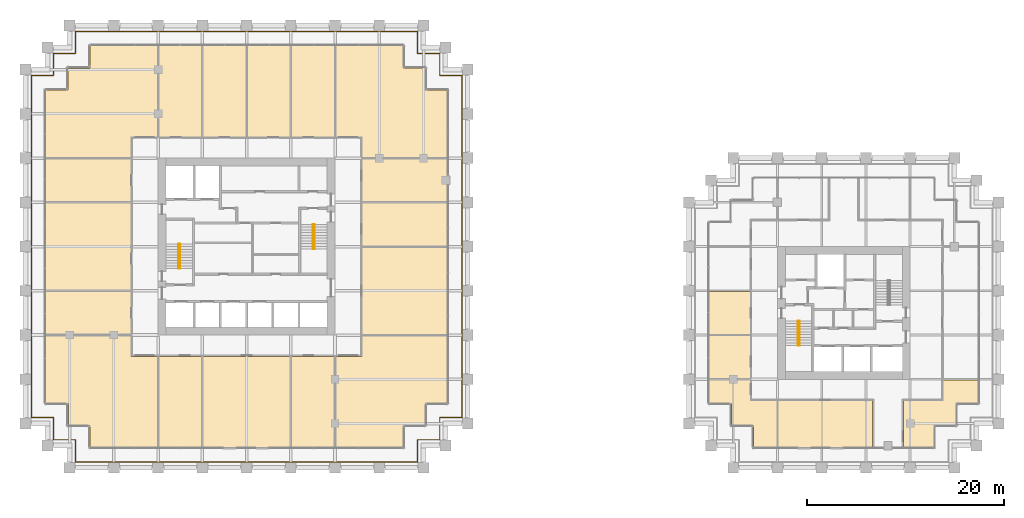
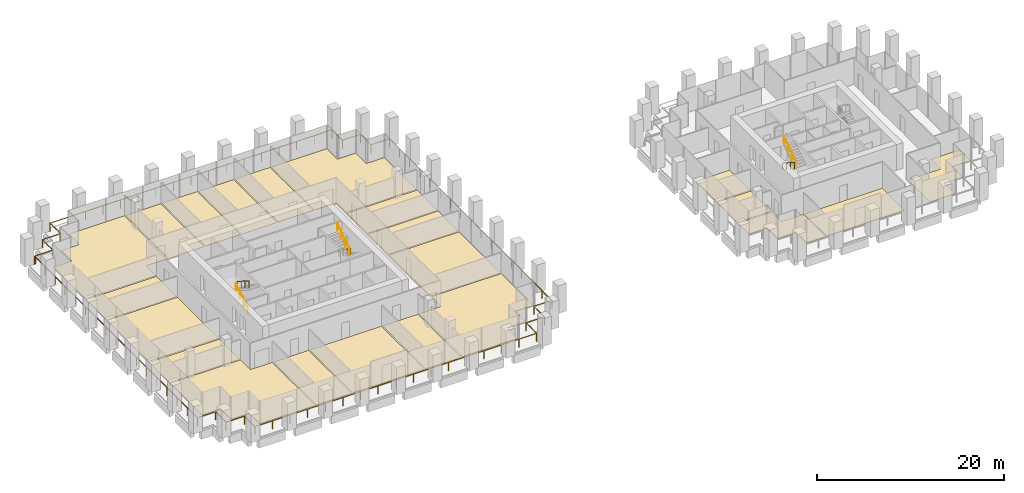
# One storey, part 54 of 55: 22 coverings, 7 railings.
"""IFC4 building model written with IfcOpenShell, lengths in metres."""

from ifc_helpers import new_model, si_unit, direction, frame, origin, origin_2d, place, context, subcontext, project, spatial, polyline, circle, outline, extrude, source, transform, mapped, material, layer, layer_set, type_object, element, save


model = new_model("IFC4")

# Units and contexts
model_context = context("Model", 3, precision=1e-05, world=origin(), true_north=direction((0.0, 1.0)))
body_context = subcontext(model_context, "Body", "Model", "MODEL_VIEW")
ifc_project = project(units=[si_unit("LENGTHUNIT", "METRE"), si_unit("AREAUNIT", "SQUARE_METRE"), si_unit("VOLUMEUNIT", "CUBIC_METRE"), si_unit("PLANEANGLEUNIT", "RADIAN"), si_unit("MASSUNIT", "GRAM", prefix="KILO")], contexts=[model_context])

# Site, building, storey
site_placement = place(None, origin())
site = spatial("IfcSite", under=ifc_project, at=site_placement, CompositionType="ELEMENT")
building_placement = place(site_placement, origin())
building = spatial("IfcBuilding", under=site, at=building_placement, Name="Altepetl Exchange Towers", CompositionType="ELEMENT")
storey_placement = place(building_placement, frame((0.0, 0.0, 47.39990234375)))
storey = spatial("IfcBuildingStorey", under=building, at=storey_placement, Name="L10", CompositionType="ELEMENT", Elevation=47.39990234375)

# Coverings
ifc_material_1 = material(Name="Carpet tile")
ifc_layer_1 = layer(ifc_material_1, 0.02001953125)
ifc_layer_set_1 = layer_set([ifc_layer_1], Name="Carpet tile")
covering_type_1 = type_object("IfcCoveringType", Name="Carpet tile floor", PredefinedType="FLOORING", material=ifc_layer_set_1)
covering_1_placement = place(storey_placement, origin())
element("IfcCovering", 1, at=covering_1_placement, inside=storey, type_object=covering_type_1, Name="Print room floor finish A10.01", PredefinedType="FLOORING", context=body_context, shape_type="SweptSolid", body=[
    extrude(outline(polyline([(37.737548828125, 44.9375), (29.0625, 44.9375), (29.0625, 40.5625), (37.737548828125, 40.5625), (37.737548828125, 44.9375)])), origin(), (0.0, 0.0, 1.0), 0.02001953125),
])
covering_2_placement = place(storey_placement, origin())
element("IfcCovering", 2, at=covering_2_placement, inside=storey, type_object=covering_type_1, Name="Open office floor finish A10.05", PredefinedType="FLOORING", context=body_context, shape_type="SweptSolid", body=[
    extrude(outline(polyline([(58.4375, 29.0625), (58.4375, 38.33740234375), (54.0625, 38.33740234375), (54.0625, 29.0625), (58.4375, 29.0625)])), origin(), (0.0, 0.0, 1.0), 0.02001953125),
])
covering_3_placement = place(storey_placement, origin())
element("IfcCovering", 3, at=covering_3_placement, inside=storey, type_object=covering_type_1, Name="Open office floor finish A10.07", PredefinedType="FLOORING", context=body_context, shape_type="SweptSolid", body=[
    extrude(outline(polyline([(69.9375, 49.4375), (61.262451171875, 49.4375), (61.262451171875, 40.5625), (69.9375, 40.5625), (69.9375, 49.4375)])), origin(), (0.0, 0.0, 1.0), 0.02001953125),
])
covering_4_placement = place(storey_placement, origin())
element("IfcCovering", 4, at=covering_4_placement, inside=storey, type_object=covering_type_1, Name="Print room floor finish A10.08", PredefinedType="FLOORING", context=body_context, shape_type="SweptSolid", body=[
    extrude(outline(polyline([(69.9375, 53.9375), (61.262451171875, 53.9375), (61.262451171875, 49.5625), (69.9375, 49.5625), (69.9375, 53.9375)])), origin(), (0.0, 0.0, 1.0), 0.02001953125),
])
covering_5_placement = place(storey_placement, origin())
element("IfcCovering", 5, at=covering_5_placement, inside=storey, type_object=covering_type_1, Name="Print room floor finish A10.09", PredefinedType="FLOORING", context=body_context, shape_type="SweptSolid", body=[
    extrude(outline(polyline([(69.9375, 58.4375), (61.262451171875, 58.4375), (61.262451171875, 54.0625), (69.9375, 54.0625), (69.9375, 58.4375)])), origin(), (0.0, 0.0, 1.0), 0.02001953125),
])
covering_6_placement = place(storey_placement, origin())
element("IfcCovering", 6, at=covering_6_placement, inside=storey, type_object=covering_type_1, Name="Open office floor finish A10.12", PredefinedType="FLOORING", context=body_context, shape_type="SweptSolid", body=[
    extrude(outline(polyline([(49.5625, 69.9375), (49.5625, 60.66259765625), (53.9375, 60.66259765625), (53.9375, 69.9375), (49.5625, 69.9375)])), origin(), (0.0, 0.0, 1.0), 0.02001953125),
])
covering_7_placement = place(storey_placement, origin())
element("IfcCovering", 7, at=covering_7_placement, inside=storey, type_object=covering_type_1, Name="Open office floor finish A10.14", PredefinedType="FLOORING", context=body_context, shape_type="SweptSolid", body=[
    extrude(outline(polyline([(40.5625, 69.9375), (40.5625, 60.66259765625), (44.9375, 60.66259765625), (44.9375, 69.9375), (40.5625, 69.9375)])), origin(), (0.0, 0.0, 1.0), 0.02001953125),
])
covering_8_placement = place(storey_placement, origin())
element("IfcCovering", 8, at=covering_8_placement, inside=storey, type_object=covering_type_1, Name="Print room floor finish A10.16", PredefinedType="FLOORING", context=body_context, shape_type="SweptSolid", body=[
    extrude(outline(polyline([(37.737548828125, 58.4375), (29.0625, 58.4375), (29.0625, 54.0625), (37.737548828125, 54.0625), (37.737548828125, 58.4375)])), origin(), (0.0, 0.0, 1.0), 0.02001953125),
])
covering_9_placement = place(storey_placement, origin())
element("IfcCovering", 9, at=covering_9_placement, inside=storey, type_object=covering_type_1, Name="Huddle room floor finish B10.01", PredefinedType="FLOORING", context=body_context, shape_type="SweptSolid", body=[
    extrude(outline(polyline([(100.737548828125, 44.9375), (96.5625, 44.9375), (96.5625, 40.5625), (100.737548828125, 40.5625), (100.737548828125, 44.9375)])), origin(), (0.0, 0.0, 1.0), 0.02001953125),
])
covering_10_placement = place(storey_placement, origin())
element("IfcCovering", 10, at=covering_10_placement, inside=storey, type_object=covering_type_1, Name="Huddle room floor finish B10.02", PredefinedType="FLOORING", context=body_context, shape_type="SweptSolid", body=[
    extrude(outline(polyline([(100.737548828125, 40.4375), (96.5625, 40.4375), (96.5625, 36.0625), (100.737548828125, 36.0625), (100.737548828125, 40.4375)])), origin(), (0.0, 0.0, 1.0), 0.02001953125),
])
covering_11_placement = place(storey_placement, origin())
element("IfcCovering", 11, at=covering_11_placement, inside=storey, type_object=covering_type_1, Name="Open office floor finish B10.05", PredefinedType="FLOORING", context=body_context, shape_type="SweptSolid", body=[
    extrude(outline(polyline([(116.3125, 33.83740234375), (116.3125, 29.0625), (119.4375, 29.0625), (119.4375, 31.3125), (121.6875, 31.3125), (121.6875, 33.5625), (123.9375, 33.5625), (123.9375, 35.9375), (120.362548828125, 35.9375), (120.362548828125, 33.83740234375), (116.3125, 33.83740234375)])), origin(), (0.0, 0.0, 1.0), 0.02001953125),
])
ifc_material_2 = material(Name="Cantera stone", Category="masonry")
ifc_layer_2 = layer(ifc_material_2, 0.030029296875)
ifc_layer_set_2 = layer_set([ifc_layer_2], Name="Cantera stone")
covering_type_2 = type_object("IfcCoveringType", Name="Polished stone floor", PredefinedType="FLOORING", material=ifc_layer_set_2)
covering_12_placement = place(storey_placement, origin())
element("IfcCovering", 12, at=covering_12_placement, inside=storey, type_object=covering_type_2, Name="Staff club floor finish A10.10", PredefinedType="FLOORING", context=body_context, shape_type="SweptSolid", body=[
    extrude(outline(polyline([(65.4375, 69.9375), (58.5625, 69.9375), (58.5625, 60.66259765625), (61.262451171875, 60.66259765625), (61.262451171875, 58.5625), (69.9375, 58.5625), (69.9375, 65.4375), (67.6875, 65.4375), (67.6875, 67.6875), (65.4375, 67.6875), (65.4375, 69.9375)])), origin(), (0.0, 0.0, 1.0), 0.030029296875),
])
covering_13_placement = place(storey_placement, origin())
element("IfcCovering", 13, at=covering_13_placement, inside=storey, type_object=covering_type_2, Name="Staff club floor finish A10.15", PredefinedType="FLOORING", context=body_context, shape_type="SweptSolid", body=[
    extrude(outline(polyline([(40.4375, 60.66259765625), (40.4375, 69.9375), (33.5625, 69.9375), (33.5625, 67.6875), (31.3125, 67.6875), (31.3125, 65.4375), (29.0625, 65.4375), (29.0625, 58.5625), (37.737548828125, 58.5625), (37.737548828125, 60.66259765625), (40.4375, 60.66259765625)])), origin(), (0.0, 0.0, 1.0), 0.030029296875),
])
covering_14_placement = place(storey_placement, origin())
element("IfcCovering", 14, at=covering_14_placement, inside=storey, type_object=covering_type_2, Name="Staff club floor finish B10.03", PredefinedType="FLOORING", context=body_context, shape_type="SweptSolid", body=[
    extrude(outline(polyline([(100.737548828125, 35.9375), (96.5625, 35.9375), (96.5625, 33.5625), (98.8125, 33.5625), (98.8125, 31.3125), (101.0625, 31.3125), (101.0625, 29.0625), (103.4375, 29.0625), (103.4375, 33.83740234375), (100.737548828125, 33.83740234375), (100.737548828125, 35.9375)])), origin(), (0.0, 0.0, 1.0), 0.030029296875),
])
ifc_material_3 = material(Name="Calcium sulphate access floor panel")
ifc_layer_3 = layer(ifc_material_3, 0.0400390625)
ifc_layer_set_3 = layer_set([ifc_layer_3], Name="Calcium sulphate access floor panel")
covering_type_3 = type_object("IfcCoveringType", Name="Raised access floor panels", PredefinedType="FLOORING", material=ifc_layer_set_3)
covering_15_placement = place(storey_placement, origin())
element("IfcCovering", 15, at=covering_15_placement, inside=storey, type_object=covering_type_3, Name="Bank office floor finish A10.02", PredefinedType="FLOORING", context=body_context, shape_type="SweptSolid", body=[
    extrude(outline(polyline([(40.4375, 29.0625), (40.4375, 38.33740234375), (37.737548828125, 38.33740234375), (37.737548828125, 40.4375), (29.0625, 40.4375), (29.0625, 33.5625), (31.3125, 33.5625), (31.3125, 31.3125), (33.5625, 31.3125), (33.5625, 29.0625), (40.4375, 29.0625)])), origin(), (0.0, 0.0, 1.0), 0.0400390625),
])
covering_16_placement = place(storey_placement, origin())
element("IfcCovering", 16, at=covering_16_placement, inside=storey, type_object=covering_type_3, Name="Treasury office floor finish A10.03", PredefinedType="FLOORING", context=body_context, shape_type="SweptSolid", body=[
    extrude(outline(polyline([(44.9375, 29.0625), (44.9375, 38.33740234375), (40.5625, 38.33740234375), (40.5625, 29.0625), (44.9375, 29.0625)])), origin(), (0.0, 0.0, 1.0), 0.0400390625),
])
covering_17_placement = place(storey_placement, origin())
element("IfcCovering", 17, at=covering_17_placement, inside=storey, type_object=covering_type_3, Name="Treasury office floor finish A10.04", PredefinedType="FLOORING", context=body_context, shape_type="SweptSolid", body=[
    extrude(outline(polyline([(53.9375, 29.0625), (53.9375, 38.33740234375), (45.0625, 38.33740234375), (45.0625, 29.0625), (53.9375, 29.0625)])), origin(), (0.0, 0.0, 1.0), 0.0400390625),
])
covering_18_placement = place(storey_placement, origin())
element("IfcCovering", 18, at=covering_18_placement, inside=storey, type_object=covering_type_3, Name="Bank office floor finish A10.06", PredefinedType="FLOORING", context=body_context, shape_type="SweptSolid", body=[
    extrude(outline(polyline([(69.9375, 40.4375), (61.262451171875, 40.4375), (61.262451171875, 38.33740234375), (58.5625, 38.33740234375), (58.5625, 29.0625), (65.4375, 29.0625), (65.4375, 31.3125), (67.6875, 31.3125), (67.6875, 33.5625), (69.9375, 33.5625), (69.9375, 40.4375)])), origin(), (0.0, 0.0, 1.0), 0.0400390625),
])
covering_19_placement = place(storey_placement, origin())
element("IfcCovering", 19, at=covering_19_placement, inside=storey, type_object=covering_type_3, Name="Treasury office floor finish A10.11", PredefinedType="FLOORING", context=body_context, shape_type="SweptSolid", body=[
    extrude(outline(polyline([(54.0625, 69.9375), (54.0625, 60.66259765625), (58.4375, 60.66259765625), (58.4375, 69.9375), (54.0625, 69.9375)])), origin(), (0.0, 0.0, 1.0), 0.0400390625),
])
covering_20_placement = place(storey_placement, origin())
element("IfcCovering", 20, at=covering_20_placement, inside=storey, type_object=covering_type_3, Name="Treasury office floor finish A10.13", PredefinedType="FLOORING", context=body_context, shape_type="SweptSolid", body=[
    extrude(outline(polyline([(45.0625, 69.9375), (45.0625, 60.66259765625), (49.4375, 60.66259765625), (49.4375, 69.9375), (45.0625, 69.9375)])), origin(), (0.0, 0.0, 1.0), 0.0400390625),
])
covering_21_placement = place(storey_placement, origin())
element("IfcCovering", 21, at=covering_21_placement, inside=storey, type_object=covering_type_3, Name="Bank office floor finish A10.17", PredefinedType="FLOORING", context=body_context, shape_type="SweptSolid", body=[
    extrude(outline(polyline([(37.737548828125, 53.9375), (29.0625, 53.9375), (29.0625, 45.0625), (37.737548828125, 45.0625), (37.737548828125, 53.9375)])), origin(), (0.0, 0.0, 1.0), 0.0400390625),
])
covering_22_placement = place(storey_placement, origin())
element("IfcCovering", 22, at=covering_22_placement, inside=storey, type_object=covering_type_3, Name="Clearing office floor finish B10.04", PredefinedType="FLOORING", context=body_context, shape_type="SweptSolid", body=[
    extrude(outline(polyline([(113.1875, 33.83740234375), (103.5625, 33.83740234375), (103.5625, 29.0625), (113.1875, 29.0625), (113.1875, 33.83740234375)])), origin(), (0.0, 0.0, 1.0), 0.0400390625),
])

# Railings
ifc_material_4 = material(Name="Steel S355", Category="steel")
railing_type_1 = type_object("IfcRailingType", Name="Guard 1100 steel posts and rail", PredefinedType="GUARDRAIL", material=ifc_material_4)
shared_shape_1 = source(origin(), body_context, "Body", "SweptSolid", [
    extrude(circle(Radius=0.02099609375, at=origin_2d()), origin(), (0.0, 0.0, 1.0), 1.052001953125),
])
railing_1_placement = place(storey_placement, frame((27.60009765625, 66.89990234375, 0.0)))
element("IfcRailing", 23, at=railing_1_placement, inside=storey, type_object=railing_type_1, Name="Loggia guard", PredefinedType="GUARDRAIL", context=body_context, shape_type="SweptSolid", body=[
    extrude(circle(Radius=0.02392578125, at=origin_2d()), frame((0.0, 0.0, 1.076171875), z_axis=(0.0, -1.0, 0.0), x_axis=(1.0, 0.0, 0.0)), (0.0, 0.0, 1.0), 34.7998046875),
    extrude(circle(Radius=0.02392578125, at=origin_2d()), frame((0.0, -34.7998046875, 1.076171875), z_axis=(1.0, 0.0, 0.0), x_axis=(0.0, 1.0, 0.0)), (0.0, 0.0, 1.0), 2.25),
    extrude(circle(Radius=0.02392578125, at=origin_2d()), frame((2.25, -34.7998046875, 1.076171875), z_axis=(0.0, -1.0, 0.0), x_axis=(1.0, 0.0, 0.0)), (0.0, 0.0, 1.0), 2.25),
    extrude(circle(Radius=0.02392578125, at=origin_2d()), frame((2.25, -37.0498046875, 1.076171875), z_axis=(1.0, 0.0, 0.0), x_axis=(0.0, 1.0, 0.0)), (0.0, 0.0, 1.0), 2.25),
    extrude(circle(Radius=0.02392578125, at=origin_2d()), frame((4.5, -37.0498046875, 1.076171875), z_axis=(0.0, -1.0, 0.0), x_axis=(1.0, 0.0, 0.0)), (0.0, 0.0, 1.0), 2.25),
    extrude(circle(Radius=0.02392578125, at=origin_2d()), frame((4.5, -39.2998046875, 1.076171875), z_axis=(1.0, 0.0, 0.0), x_axis=(0.0, 1.0, 0.0)), (0.0, 0.0, 1.0), 34.7998046875),
    extrude(circle(Radius=0.02392578125, at=origin_2d()), frame((39.2998046875, -39.2998046875, 1.076171875), z_axis=(0.0, 1.0, 0.0), x_axis=(-1.0, 0.0, 0.0)), (0.0, 0.0, 1.0), 2.25),
    extrude(circle(Radius=0.02392578125, at=origin_2d()), frame((39.2998046875, -37.0498046875, 1.076171875), z_axis=(1.0, 0.0, 0.0), x_axis=(0.0, 1.0, 0.0)), (0.0, 0.0, 1.0), 2.25),
    extrude(circle(Radius=0.02392578125, at=origin_2d()), frame((41.5498046875, -37.0498046875, 1.076171875), z_axis=(0.0, 1.0, 0.0), x_axis=(-1.0, 0.0, 0.0)), (0.0, 0.0, 1.0), 2.25),
    extrude(circle(Radius=0.02392578125, at=origin_2d()), frame((41.5498046875, -34.7998046875, 1.076171875), z_axis=(1.0, 0.0, 0.0), x_axis=(0.0, 1.0, 0.0)), (0.0, 0.0, 1.0), 2.25),
    extrude(circle(Radius=0.02392578125, at=origin_2d()), frame((43.7998046875, -34.7998046875, 1.076171875), z_axis=(0.0, 1.0, 0.0), x_axis=(-1.0, 0.0, 0.0)), (0.0, 0.0, 1.0), 34.7998046875),
    extrude(circle(Radius=0.02392578125, at=origin_2d()), frame((43.7998046875, 0.0, 1.076171875), z_axis=(-1.0, 0.0, 0.0), x_axis=(0.0, -1.0, 0.0)), (0.0, 0.0, 1.0), 2.25),
    extrude(circle(Radius=0.02392578125, at=origin_2d()), frame((41.5498046875, 0.0, 1.076171875), z_axis=(0.0, 1.0, 0.0), x_axis=(-1.0, 0.0, 0.0)), (0.0, 0.0, 1.0), 2.25),
    extrude(circle(Radius=0.02392578125, at=origin_2d()), frame((41.5498046875, 2.25, 1.076171875), z_axis=(-1.0, 0.0, 0.0), x_axis=(0.0, -1.0, 0.0)), (0.0, 0.0, 1.0), 2.25),
    extrude(circle(Radius=0.02392578125, at=origin_2d()), frame((39.2998046875, 2.25, 1.076171875), z_axis=(0.0, 1.0, 0.0), x_axis=(-1.0, 0.0, 0.0)), (0.0, 0.0, 1.0), 2.25),
    extrude(circle(Radius=0.02392578125, at=origin_2d()), frame((39.2998046875, 4.5, 1.076171875), z_axis=(-1.0, 0.0, 0.0), x_axis=(0.0, -1.0, 0.0)), (0.0, 0.0, 1.0), 34.7998046875),
    extrude(circle(Radius=0.02392578125, at=origin_2d()), frame((4.5, 4.5, 1.076171875), z_axis=(0.0, -1.0, 0.0), x_axis=(1.0, 0.0, 0.0)), (0.0, 0.0, 1.0), 2.25),
    extrude(circle(Radius=0.02392578125, at=origin_2d()), frame((4.5, 2.25, 1.076171875), z_axis=(-1.0, 0.0, 0.0), x_axis=(0.0, -1.0, 0.0)), (0.0, 0.0, 1.0), 2.25),
    extrude(circle(Radius=0.02392578125, at=origin_2d()), frame((2.25, 2.25, 1.076171875), z_axis=(0.0, -1.0, 0.0), x_axis=(1.0, 0.0, 0.0)), (0.0, 0.0, 1.0), 2.25),
    extrude(circle(Radius=0.02392578125, at=origin_2d()), frame((2.25, 0.0, 1.076171875), z_axis=(-1.0, 0.0, 0.0), x_axis=(0.0, -1.0, 0.0)), (0.0, 0.0, 1.0), 2.150146484375),
    mapped(shared_shape_1, transform((0.0, 0.0, 0.0))),
    mapped(shared_shape_1, transform((0.0, -2.175048828125, 0.0))),
    mapped(shared_shape_1, transform((0.0, -4.35009765625, 0.0))),
    mapped(shared_shape_1, transform((0.0, -6.52490234375, 0.0))),
    mapped(shared_shape_1, transform((0.0, -8.699951171875, 0.0))),
    mapped(shared_shape_1, transform((0.0, -10.875, 0.0))),
    mapped(shared_shape_1, transform((0.0, -13.0498046875, 0.0))),
    mapped(shared_shape_1, transform((0.0, -15.224853515625, 0.0))),
    mapped(shared_shape_1, transform((0.0, -17.39990234375, 0.0))),
    mapped(shared_shape_1, transform((0.0, -19.574951171875, 0.0))),
    mapped(shared_shape_1, transform((0.0, -21.75, 0.0))),
    mapped(shared_shape_1, transform((0.0, -23.9248046875, 0.0))),
    mapped(shared_shape_1, transform((0.0, -26.099853515625, 0.0))),
    mapped(shared_shape_1, transform((0.0, -28.27490234375, 0.0))),
    mapped(shared_shape_1, transform((0.0, -30.44970703125, 0.0))),
    mapped(shared_shape_1, transform((0.0, -32.624755859375, 0.0))),
    mapped(shared_shape_1, transform((0.0, -34.7998046875, 0.0))),
    mapped(shared_shape_1, transform((2.25, -34.7998046875, 0.0))),
    mapped(shared_shape_1, transform((2.25, -37.0498046875, 0.0))),
    mapped(shared_shape_1, transform((4.5, -37.0498046875, 0.0))),
    mapped(shared_shape_1, transform((4.5, -39.2998046875, 0.0))),
    mapped(shared_shape_1, transform((6.675048828125, -39.2998046875, 0.0))),
    mapped(shared_shape_1, transform((8.85009765625, -39.2998046875, 0.0))),
    mapped(shared_shape_1, transform((11.02490234375, -39.2998046875, 0.0))),
    mapped(shared_shape_1, transform((13.199951171875, -39.2998046875, 0.0))),
    mapped(shared_shape_1, transform((15.375, -39.2998046875, 0.0))),
    mapped(shared_shape_1, transform((17.5498046875, -39.2998046875, 0.0))),
    mapped(shared_shape_1, transform((19.724853515625, -39.2998046875, 0.0))),
    mapped(shared_shape_1, transform((21.89990234375, -39.2998046875, 0.0))),
    mapped(shared_shape_1, transform((24.074951171875, -39.2998046875, 0.0))),
    mapped(shared_shape_1, transform((26.25, -39.2998046875, 0.0))),
    mapped(shared_shape_1, transform((28.4248046875, -39.2998046875, 0.0))),
    mapped(shared_shape_1, transform((30.599853515625, -39.2998046875, 0.0))),
    mapped(shared_shape_1, transform((32.77490234375, -39.2998046875, 0.0))),
    mapped(shared_shape_1, transform((34.94970703125, -39.2998046875, 0.0))),
    mapped(shared_shape_1, transform((37.124755859375, -39.2998046875, 0.0))),
    mapped(shared_shape_1, transform((39.2998046875, -39.2998046875, 0.0))),
    mapped(shared_shape_1, transform((39.2998046875, -37.0498046875, 0.0))),
    mapped(shared_shape_1, transform((41.5498046875, -37.0498046875, 0.0))),
    mapped(shared_shape_1, transform((41.5498046875, -34.7998046875, 0.0))),
    mapped(shared_shape_1, transform((43.7998046875, -34.7998046875, 0.0))),
    mapped(shared_shape_1, transform((43.7998046875, -32.624755859375, 0.0))),
    mapped(shared_shape_1, transform((43.7998046875, -30.44970703125, 0.0))),
    mapped(shared_shape_1, transform((43.7998046875, -28.27490234375, 0.0))),
    mapped(shared_shape_1, transform((43.7998046875, -26.099853515625, 0.0))),
    mapped(shared_shape_1, transform((43.7998046875, -23.9248046875, 0.0))),
    mapped(shared_shape_1, transform((43.7998046875, -21.75, 0.0))),
    mapped(shared_shape_1, transform((43.7998046875, -19.574951171875, 0.0))),
    mapped(shared_shape_1, transform((43.7998046875, -17.39990234375, 0.0))),
    mapped(shared_shape_1, transform((43.7998046875, -15.224853515625, 0.0))),
    mapped(shared_shape_1, transform((43.7998046875, -13.0498046875, 0.0))),
    mapped(shared_shape_1, transform((43.7998046875, -10.875, 0.0))),
    mapped(shared_shape_1, transform((43.7998046875, -8.699951171875, 0.0))),
    mapped(shared_shape_1, transform((43.7998046875, -6.52490234375, 0.0))),
    mapped(shared_shape_1, transform((43.7998046875, -4.35009765625, 0.0))),
    mapped(shared_shape_1, transform((43.7998046875, -2.175048828125, 0.0))),
    mapped(shared_shape_1, transform((43.7998046875, 0.0, 0.0))),
    mapped(shared_shape_1, transform((41.5498046875, 0.0, 0.0))),
    mapped(shared_shape_1, transform((41.5498046875, 2.25, 0.0))),
    mapped(shared_shape_1, transform((39.2998046875, 2.25, 0.0))),
    mapped(shared_shape_1, transform((39.2998046875, 4.5, 0.0))),
    mapped(shared_shape_1, transform((37.124755859375, 4.5, 0.0))),
    mapped(shared_shape_1, transform((34.94970703125, 4.5, 0.0))),
    mapped(shared_shape_1, transform((32.77490234375, 4.5, 0.0))),
    mapped(shared_shape_1, transform((30.599853515625, 4.5, 0.0))),
    mapped(shared_shape_1, transform((28.4248046875, 4.5, 0.0))),
    mapped(shared_shape_1, transform((26.25, 4.5, 0.0))),
    mapped(shared_shape_1, transform((24.074951171875, 4.5, 0.0))),
    mapped(shared_shape_1, transform((21.89990234375, 4.5, 0.0))),
    mapped(shared_shape_1, transform((19.724853515625, 4.5, 0.0))),
    mapped(shared_shape_1, transform((17.5498046875, 4.5, 0.0))),
    mapped(shared_shape_1, transform((15.375, 4.5, 0.0))),
    mapped(shared_shape_1, transform((13.199951171875, 4.5, 0.0))),
    mapped(shared_shape_1, transform((11.02490234375, 4.5, 0.0))),
    mapped(shared_shape_1, transform((8.85009765625, 4.5, 0.0))),
    mapped(shared_shape_1, transform((6.675048828125, 4.5, 0.0))),
    mapped(shared_shape_1, transform((4.5, 4.5, 0.0))),
    mapped(shared_shape_1, transform((4.5, 2.25, 0.0))),
    mapped(shared_shape_1, transform((2.25, 2.25, 0.0))),
    mapped(shared_shape_1, transform((2.25, 0.0, 0.0))),
    mapped(shared_shape_1, transform((0.099853515625, 0.0, 0.0))),
])
ifc_material_5 = material(Name="Steel", Category="steel")
railing_type_2 = type_object("IfcRailingType", Name="Stair handrail 50 steel tube", PredefinedType="HANDRAIL", material=ifc_material_5)
shared_shape_2 = source(origin(), body_context, "Body", "SweptSolid", [
    extrude(circle(Radius=0.02099609375, at=origin_2d()), origin(), (0.0, 0.0, 1.0), 0.851806640625),
])
railing_2_placement = place(storey_placement, frame((42.570068359375, 47.25, 0.18017578125)))
element("IfcRailing", 24, at=railing_2_placement, inside=storey, type_object=railing_type_2, Name="Stair handrail", PredefinedType="HANDRAIL", context=body_context, shape_type="SweptSolid", body=[
    extrude(circle(Radius=0.02392578125, at=origin_2d()), frame((0.0, 0.0, 0.8759765625), z_axis=(0.0, 0.841199657755, 0.540724639528), x_axis=(-1.0, 0.0, 0.0)), (0.0, 0.0, 1.0), 2.995849609375),
    mapped(shared_shape_2, transform((0.0, 0.0, 0.0))),
    mapped(shared_shape_2, transform((0.0, 0.840087890625, 0.5400390625))),
    mapped(shared_shape_2, transform((0.0, 1.679931640625, 1.079833984375))),
    mapped(shared_shape_2, transform((0.0, 2.52001953125, 1.619873046875))),
])
railing_3_placement = place(storey_placement, frame((42.72998046875, 49.77001953125, 1.97998046875)))
element("IfcRailing", 25, at=railing_3_placement, inside=storey, type_object=railing_type_2, Name="Stair handrail", PredefinedType="HANDRAIL", context=body_context, shape_type="SweptSolid", body=[
    extrude(circle(Radius=0.02392578125, at=origin_2d()), frame((0.0, 0.0, 0.8759765625), z_axis=(0.0, -0.841162588446, 0.540782303519), x_axis=(1.0, 0.0, 0.0)), (0.0, 0.0, 1.0), 2.995849609375),
    mapped(shared_shape_2, transform((0.0, 0.0, 0.0))),
    mapped(shared_shape_2, transform((0.0, -0.840087890625, 0.5400390625))),
    mapped(shared_shape_2, transform((0.0, -1.679931640625, 1.080078125))),
    mapped(shared_shape_2, transform((0.0, -2.52001953125, 1.6201171875))),
])
railing_4_placement = place(storey_placement, frame((56.429931640625, 51.75, 0.18017578125)))
element("IfcRailing", 26, at=railing_4_placement, inside=storey, type_object=railing_type_2, Name="Stair handrail", PredefinedType="HANDRAIL", context=body_context, shape_type="SweptSolid", body=[
    extrude(circle(Radius=0.02392578125, at=origin_2d()), frame((0.0, 0.0, 0.8759765625), z_axis=(0.0, -0.841199657755, 0.540724639528), x_axis=(1.0, 0.0, 0.0)), (0.0, 0.0, 1.0), 2.995849609375),
    mapped(shared_shape_2, transform((0.0, 0.0, 0.0))),
    mapped(shared_shape_2, transform((0.0, -0.840087890625, 0.5400390625))),
    mapped(shared_shape_2, transform((0.0, -1.679931640625, 1.079833984375))),
    mapped(shared_shape_2, transform((0.0, -2.52001953125, 1.619873046875))),
])
railing_5_placement = place(storey_placement, frame((56.27001953125, 49.22998046875, 1.97998046875)))
element("IfcRailing", 27, at=railing_5_placement, inside=storey, type_object=railing_type_2, Name="Stair handrail", PredefinedType="HANDRAIL", context=body_context, shape_type="SweptSolid", body=[
    extrude(circle(Radius=0.02392578125, at=origin_2d()), frame((0.0, 0.0, 0.8759765625), z_axis=(0.0, 0.841162588446, 0.540782303519), x_axis=(-1.0, 0.0, 0.0)), (0.0, 0.0, 1.0), 2.995849609375),
    mapped(shared_shape_2, transform((0.0, 0.0, 0.0))),
    mapped(shared_shape_2, transform((0.0, 0.840087890625, 0.5400390625))),
    mapped(shared_shape_2, transform((0.0, 1.679931640625, 1.080078125))),
    mapped(shared_shape_2, transform((0.0, 2.52001953125, 1.6201171875))),
])
railing_6_placement = place(storey_placement, frame((105.570068359375, 41.949951171875, 0.18017578125)))
element("IfcRailing", 28, at=railing_6_placement, inside=storey, type_object=railing_type_2, Name="Stair handrail", PredefinedType="HANDRAIL", context=body_context, shape_type="SweptSolid", body=[
    extrude(circle(Radius=0.02392578125, at=origin_2d()), frame((0.0, 0.0, 0.8759765625), z_axis=(0.0, -0.841199657755, 0.540724639528), x_axis=(1.0, 0.0, 0.0)), (0.0, 0.0, 1.0), 2.995849609375),
    mapped(shared_shape_2, transform((0.0, 0.0, 0.0))),
    mapped(shared_shape_2, transform((0.0, -0.840087890625, 0.5400390625))),
    mapped(shared_shape_2, transform((0.0, -1.679931640625, 1.079833984375))),
    mapped(shared_shape_2, transform((0.0, -2.52001953125, 1.619873046875))),
])
railing_7_placement = place(storey_placement, frame((105.72998046875, 39.429931640625, 1.97998046875)))
element("IfcRailing", 29, at=railing_7_placement, inside=storey, type_object=railing_type_2, Name="Stair handrail", PredefinedType="HANDRAIL", context=body_context, shape_type="SweptSolid", body=[
    extrude(circle(Radius=0.02392578125, at=origin_2d()), frame((0.0, 0.0, 0.8759765625), z_axis=(0.0, 0.841162588446, 0.540782303519), x_axis=(-1.0, 0.0, 0.0)), (0.0, 0.0, 1.0), 2.995849609375),
    mapped(shared_shape_2, transform((0.0, 0.0, 0.0))),
    mapped(shared_shape_2, transform((0.0, 0.840087890625, 0.5400390625))),
    mapped(shared_shape_2, transform((0.0, 1.679931640625, 1.080078125))),
    mapped(shared_shape_2, transform((0.0, 2.52001953125, 1.6201171875))),
])

save(model, "model.ifc")
